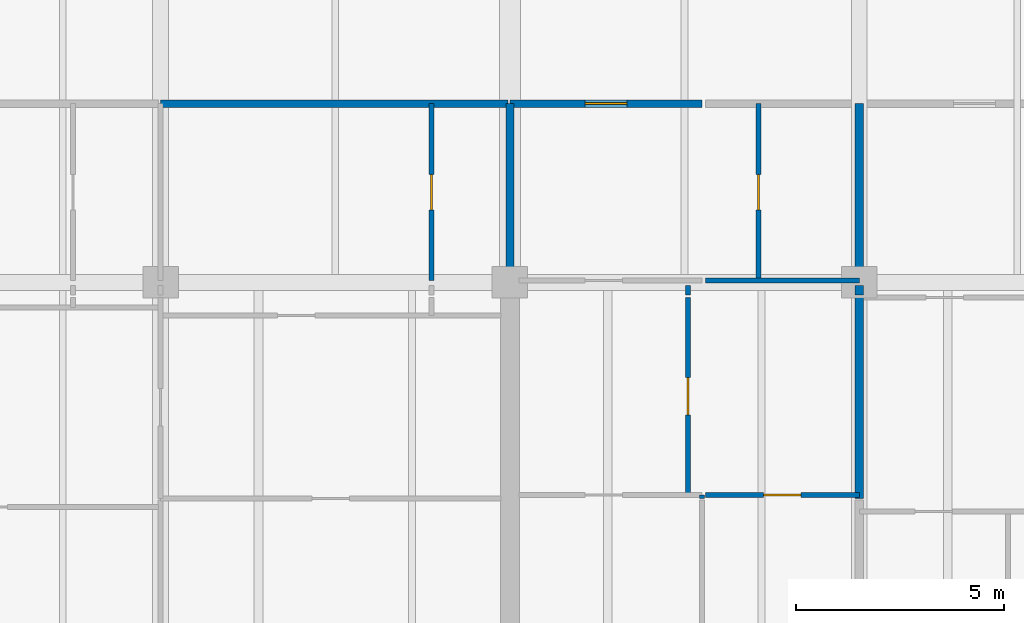
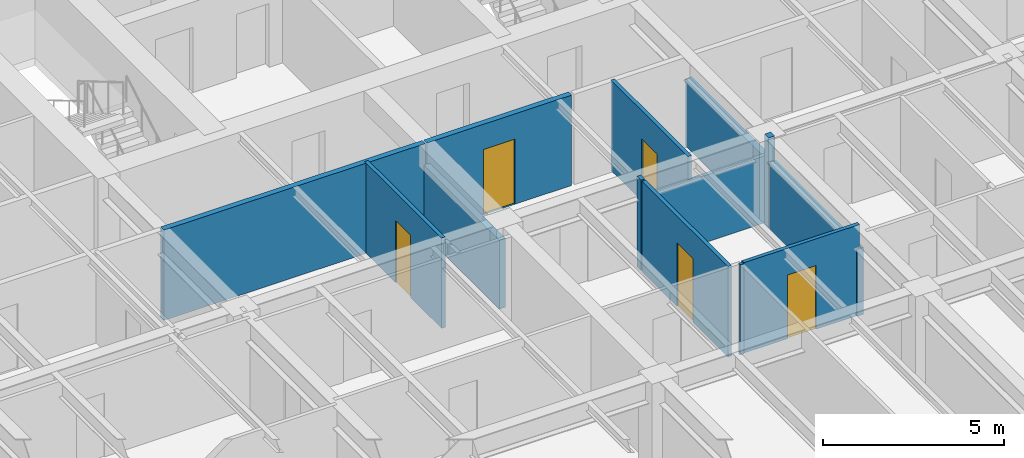
# One storey, part 9 of 19: 13 walls, 5 doors, 5 openings.
"""IFC4 building model written with IfcOpenShell, lengths in metres."""

from ifc_helpers import new_model, si_unit, direction, frame, frame_2d, origin, place, context, subcontext, project, spatial, rectangle, extrude, material, layer, layer_set, type_object, element, fill, save


model = new_model("IFC4")

# Units and contexts
model_context = context("Model", 3, precision=1e-05, world=origin(), true_north=direction((0.0, 1.0)))
body_context = subcontext(model_context, "Body", "Model", "MODEL_VIEW")
ifc_project = project(units=[si_unit("LENGTHUNIT", "METRE"), si_unit("AREAUNIT", "SQUARE_METRE"), si_unit("VOLUMEUNIT", "CUBIC_METRE"), si_unit("PLANEANGLEUNIT", "RADIAN"), si_unit("MASSUNIT", "GRAM", prefix="KILO")], contexts=[model_context])

# Site, building, storey
site_placement = place(None, origin())
site = spatial("IfcSite", under=ifc_project, at=site_placement, CompositionType="ELEMENT")
building_placement = place(site_placement, origin())
building = spatial("IfcBuilding", under=site, at=building_placement, Name="Caelmar Bay Residences", CompositionType="ELEMENT")
storey_placement = place(building_placement, frame((0.0, 0.0, 167.10009765625)))
storey = spatial("IfcBuildingStorey", under=building, at=storey_placement, Name="L46", CompositionType="ELEMENT", Elevation=167.10009765625)

# Wall
ifc_material_1 = material(Name="Double-stud acoustic fire-rated gypsum partition 180 mm")
ifc_layer_1 = layer(ifc_material_1, 0.179931640625)
ifc_layer_set_1 = layer_set([ifc_layer_1], Name="Double-stud acoustic fire-rated gypsum partition 180 mm")
wall_type_1 = type_object("IfcWallType", Name="W-COR-200", PredefinedType="PARTITIONING", material=ifc_layer_set_1)
wall_1_placement = place(storey_placement, frame((18.300048828125, 33.699951171875, 0.0), z_axis=(0.0, 0.0, 1.0), x_axis=(1.0, 0.0, 0.0)))
element("IfcWall", 1, at=wall_1_placement, inside=storey, type_object=wall_type_1, Name="L46 Partition Wall H115", PredefinedType="PARTITIONING", context=body_context, shape_type="SweptSolid", body=[
    extrude(rectangle(XDim=8.349853515625, YDim=0.179931640625, at=frame_2d((4.1748046875, 0.0))), origin(), (0.0, 0.0, 1.0), 3.0498046875),
])

# Wall, opening, door
wall_2_placement = place(storey_placement, frame((26.699951171875, 33.699951171875, 0.0), z_axis=(0.0, 0.0, 1.0), x_axis=(1.0, 0.0, 0.0)))
wall_2 = element("IfcWall", 2, at=wall_2_placement, inside=storey, type_object=wall_type_1, Name="L46 Partition Wall H116", PredefinedType="PARTITIONING", context=body_context, shape_type="SweptSolid", body=[
    extrude(rectangle(XDim=4.6201171875, YDim=0.179931640625, at=frame_2d((2.31005859375, 0.0))), origin(), (0.0, 0.0, 1.0), 3.0498046875),
])
opening_1_placement = place(wall_2_placement, frame((1.81005859375, 0.0, 0.0)))
opening_1 = element("IfcOpeningElement", 3, at=opening_1_placement, cuts=wall_2, Name="Opening D-L46-132", PredefinedType="OPENING", context=body_context, shape_type="SweptSolid", body=[
    extrude(rectangle(XDim=1.0, YDim=2.199951171875, at=frame_2d((0.5, 1.10009765625))), frame((0.0, 0.099853515625, 0.0), z_axis=(0.0, -1.0, 0.0), x_axis=(1.0, 0.0, 0.0)), (0.0, 0.0, 1.0), 0.199951171875),
])
ifc_material_2 = material(Name="Fire-rated steel and walnut architectural door assembly", Category="steel")
ifc_layer_2 = layer(ifc_material_2, 0.050048828125)
ifc_layer_set_2 = layer_set([ifc_layer_2], Name="Fire-rated steel and walnut architectural door assembly")
door_type_1 = type_object("IfcDoorType", Name="D-UNIT-1000", OperationType="NOTDEFINED", PredefinedType="DOOR", material=ifc_layer_set_2)
door_1_placement = place(opening_1_placement, origin())
door_1 = element("IfcDoor", 4, at=door_1_placement, inside=storey, type_object=door_type_1, Name="L46 Residence 02 Apartment Hall Door", OperationType="SINGLE_SWING_LEFT", OverallHeight=2.199951171875, OverallWidth=1.0, PredefinedType="DOOR", context=body_context, shape_type="SweptSolid", body=[
    extrude(rectangle(XDim=1.0, YDim=2.199951171875, at=frame_2d((0.5, 1.10009765625))), frame((0.0, 0.02490234375, 0.0), z_axis=(0.0, -1.0, 0.0), x_axis=(1.0, 0.0, 0.0)), (0.0, 0.0, 1.0), 0.050048828125),
])
fill(opening_1, door_1)

ifc_material_3 = material(Name="Acoustic metal-stud gypsum partition 120 mm")
ifc_layer_3 = layer(ifc_material_3, 0.1201171875)
ifc_layer_set_3 = layer_set([ifc_layer_3], Name="Acoustic metal-stud gypsum partition 120 mm")
wall_type_2 = type_object("IfcWallType", Name="W-PRT-120", PredefinedType="PARTITIONING", material=ifc_layer_set_3)
wall_3_placement = place(storey_placement, frame((24.818115234375, 29.43994140625, 0.0), z_axis=(0.0, 0.0, 1.0), x_axis=(0.0, 1.0, 0.0)))
wall_3 = element("IfcWall", 5, at=wall_3_placement, inside=storey, type_object=wall_type_2, Name="L46 Partition Wall V021", PredefinedType="PARTITIONING", context=body_context, shape_type="SweptSolid", body=[
    extrude(rectangle(XDim=4.260009765625, YDim=0.1201171875, at=frame_2d((2.1298828125, 0.0))), origin(), (0.0, 0.0, 1.0), 3.0498046875),
])
opening_2_placement = place(wall_3_placement, frame((1.705078125, 0.0, 0.0)))
opening_2 = element("IfcOpeningElement", 6, at=opening_2_placement, cuts=wall_3, Name="Opening D-L46-129", PredefinedType="OPENING", context=body_context, shape_type="SweptSolid", body=[
    extrude(rectangle(XDim=0.85009765625, YDim=2.10009765625, at=frame_2d((0.425048828125, 1.050048828125))), frame((0.0, 0.070068359375, 0.0), z_axis=(0.0, -1.0, 0.0), x_axis=(1.0, 0.0, 0.0)), (0.0, 0.0, 1.0), 0.14013671875),
])
ifc_material_4 = material(Name="Solid walnut timber interior door leaf and frame", Category="wood")
ifc_layer_4 = layer(ifc_material_4, 0.050048828125)
ifc_layer_set_4 = layer_set([ifc_layer_4], Name="Solid walnut timber interior door leaf and frame")
door_type_2 = type_object("IfcDoorType", Name="D-BATH-850", OperationType="NOTDEFINED", PredefinedType="DOOR", material=ifc_layer_set_4)
door_2_placement = place(opening_2_placement, origin())
door_2 = element("IfcDoor", 7, at=door_2_placement, inside=storey, type_object=door_type_2, Name="L46 Residence 01 En-Suite Bathroom 1 Door", OperationType="SINGLE_SWING_RIGHT", OverallHeight=2.10009765625, OverallWidth=0.85009765625, PredefinedType="DOOR", context=body_context, shape_type="SweptSolid", body=[
    extrude(rectangle(XDim=0.85009765625, YDim=2.10009765625, at=frame_2d((0.425048828125, 1.050048828125))), frame((0.0, 0.02490234375, 0.0), z_axis=(0.0, -1.0, 0.0), x_axis=(1.0, 0.0, 0.0)), (0.0, 0.0, 1.0), 0.050048828125),
])
fill(opening_2, door_2)

wall_4_placement = place(storey_placement, frame((30.986083984375, 24.2900390625, 0.0), z_axis=(0.0, 0.0, 1.0), x_axis=(0.0, 1.0, 0.0)))
wall_4 = element("IfcWall", 8, at=wall_4_placement, inside=storey, type_object=wall_type_2, Name="L46 Partition Wall V029", PredefinedType="PARTITIONING", context=body_context, shape_type="SweptSolid", body=[
    extrude(rectangle(XDim=4.75, YDim=0.1201171875, at=frame_2d((2.375, 0.0))), origin(), (0.0, 0.0, 1.0), 3.0498046875),
])
opening_3_placement = place(wall_4_placement, frame((1.925048828125, 0.0, 0.0)))
opening_3 = element("IfcOpeningElement", 9, at=opening_3_placement, cuts=wall_4, Name="Opening D-L46-135", PredefinedType="OPENING", context=body_context, shape_type="SweptSolid", body=[
    extrude(rectangle(XDim=0.89990234375, YDim=2.14990234375, at=frame_2d((0.449951171875, 1.074951171875))), frame((0.0, 0.070068359375, 0.0), z_axis=(0.0, -1.0, 0.0), x_axis=(1.0, 0.0, 0.0)), (0.0, 0.0, 1.0), 0.14013671875),
])
ifc_layer_5 = layer(ifc_material_4, 0.050048828125)
ifc_layer_set_5 = layer_set([ifc_layer_5], Name="Solid walnut timber interior door leaf and frame")
door_type_3 = type_object("IfcDoorType", Name="D-ROOM-900", OperationType="NOTDEFINED", PredefinedType="DOOR", material=ifc_layer_set_5)
door_3_placement = place(opening_3_placement, origin())
door_3 = element("IfcDoor", 10, at=door_3_placement, inside=storey, type_object=door_type_3, Name="L46 Residence 02 Home Office Door", OperationType="SINGLE_SWING_RIGHT", OverallHeight=2.14990234375, OverallWidth=0.89990234375, PredefinedType="DOOR", context=body_context, shape_type="SweptSolid", body=[
    extrude(rectangle(XDim=0.89990234375, YDim=2.14990234375, at=frame_2d((0.449951171875, 1.074951171875))), frame((0.0, 0.02490234375, 0.0), z_axis=(0.0, -1.0, 0.0), x_axis=(1.0, 0.0, 0.0)), (0.0, 0.0, 1.0), 0.050048828125),
])
fill(opening_3, door_3)

# Walls
wall_5_placement = place(storey_placement, frame((30.986083984375, 29.10009765625, 0.0), z_axis=(0.0, 0.0, 1.0), x_axis=(0.0, 1.0, 0.0)))
element("IfcWall", 11, at=wall_5_placement, inside=storey, type_object=wall_type_2, Name="L46 Partition Wall V030", PredefinedType="PARTITIONING", context=body_context, shape_type="SweptSolid", body=[
    extrude(rectangle(XDim=0.219970703125, YDim=0.1201171875, at=frame_2d((0.10986328125, 0.0))), origin(), (0.0, 0.0, 1.0), 3.0498046875),
])
wall_6_placement = place(storey_placement, frame((31.320068359375, 24.199951171875, 0.0), z_axis=(0.0, 0.0, 1.0), x_axis=(0.0, 1.0, 0.0)))
element("IfcWall", 12, at=wall_6_placement, inside=storey, type_object=wall_type_2, Name="L46 Partition Wall V033", PredefinedType="PARTITIONING", context=body_context, shape_type="SweptSolid", body=[
    extrude(rectangle(XDim=0.090087890625, YDim=0.1201171875, at=frame_2d((0.044921875, 0.0))), origin(), (0.0, 0.0, 1.0), 3.0498046875),
])

# Wall, opening, door
wall_7_placement = place(storey_placement, frame((32.681884765625, 29.43994140625, 0.0), z_axis=(0.0, 0.0, 1.0), x_axis=(0.0, 1.0, 0.0)))
wall_7 = element("IfcWall", 13, at=wall_7_placement, inside=storey, type_object=wall_type_2, Name="L46 Partition Wall V035", PredefinedType="PARTITIONING", context=body_context, shape_type="SweptSolid", body=[
    extrude(rectangle(XDim=4.260009765625, YDim=0.1201171875, at=frame_2d((2.1298828125, 0.0))), origin(), (0.0, 0.0, 1.0), 3.0498046875),
])
opening_4_placement = place(wall_7_placement, frame((1.705078125, 0.0, 0.0)))
opening_4 = element("IfcOpeningElement", 14, at=opening_4_placement, cuts=wall_7, Name="Opening D-L46-133", PredefinedType="OPENING", context=body_context, shape_type="SweptSolid", body=[
    extrude(rectangle(XDim=0.85009765625, YDim=2.10009765625, at=frame_2d((0.425048828125, 1.050048828125))), frame((0.0, 0.070068359375, 0.0), z_axis=(0.0, -1.0, 0.0), x_axis=(1.0, 0.0, 0.0)), (0.0, 0.0, 1.0), 0.14013671875),
])
door_4_placement = place(opening_4_placement, origin())
door_4 = element("IfcDoor", 15, at=door_4_placement, inside=storey, type_object=door_type_2, Name="L46 Residence 02 Bathroom Door", OperationType="SINGLE_SWING_RIGHT", OverallHeight=2.10009765625, OverallWidth=0.85009765625, PredefinedType="DOOR", context=body_context, shape_type="SweptSolid", body=[
    extrude(rectangle(XDim=0.85009765625, YDim=2.10009765625, at=frame_2d((0.425048828125, 1.050048828125))), frame((0.0, 0.02490234375, 0.0), z_axis=(0.0, -1.0, 0.0), x_axis=(1.0, 0.0, 0.0)), (0.0, 0.0, 1.0), 0.050048828125),
])
fill(opening_4, door_4)

wall_8_placement = place(storey_placement, frame((31.39990234375, 24.2900390625, 0.0), z_axis=(0.0, 0.0, 1.0), x_axis=(1.0, 0.0, 0.0)))
wall_8 = element("IfcWall", 16, at=wall_8_placement, inside=storey, type_object=wall_type_2, Name="L46 Partition Wall H104", PredefinedType="PARTITIONING", context=body_context, shape_type="SweptSolid", body=[
    extrude(rectangle(XDim=3.7001953125, YDim=0.1201171875, at=frame_2d((1.85009765625, 0.0))), origin(), (0.0, 0.0, 1.0), 3.0498046875),
])
opening_5_placement = place(wall_8_placement, frame((1.39990234375, 0.0, 0.0)))
opening_5 = element("IfcOpeningElement", 17, at=opening_5_placement, cuts=wall_8, Name="Opening D-L46-137", PredefinedType="OPENING", context=body_context, shape_type="SweptSolid", body=[
    extrude(rectangle(XDim=0.89990234375, YDim=2.14990234375, at=frame_2d((0.449951171875, 1.074951171875))), frame((0.0, 0.070068359375, 0.0), z_axis=(0.0, -1.0, 0.0), x_axis=(1.0, 0.0, 0.0)), (0.0, 0.0, 1.0), 0.14013671875),
])
door_5_placement = place(opening_5_placement, origin())
door_5 = element("IfcDoor", 18, at=door_5_placement, inside=storey, type_object=door_type_3, Name="L46 Residence 02 Penthouse Sitting Room Door", OperationType="SINGLE_SWING_RIGHT", OverallHeight=2.14990234375, OverallWidth=0.89990234375, PredefinedType="DOOR", context=body_context, shape_type="SweptSolid", body=[
    extrude(rectangle(XDim=0.89990234375, YDim=2.14990234375, at=frame_2d((0.449951171875, 1.074951171875))), frame((0.0, 0.02490234375, 0.0), z_axis=(0.0, -1.0, 0.0), x_axis=(1.0, 0.0, 0.0)), (0.0, 0.0, 1.0), 0.050048828125),
])
fill(opening_5, door_5)

# Walls
wall_9_placement = place(storey_placement, frame((31.39990234375, 29.43994140625, 0.0), z_axis=(0.0, 0.0, 1.0), x_axis=(1.0, 0.0, 0.0)))
element("IfcWall", 19, at=wall_9_placement, inside=storey, type_object=wall_type_2, Name="L46 Partition Wall H112", PredefinedType="PARTITIONING", context=body_context, shape_type="SweptSolid", body=[
    extrude(rectangle(XDim=3.7001953125, YDim=0.1201171875, at=frame_2d((1.85009765625, 0.0))), origin(), (0.0, 0.0, 1.0), 2.262939453125),
])
ifc_material_5 = material(Name="Acoustic twin-stud fire-rated inter-tenancy partition 200 mm")
ifc_layer_6 = layer(ifc_material_5, 0.199951171875)
ifc_layer_set_6 = layer_set([ifc_layer_6], Name="Acoustic twin-stud fire-rated inter-tenancy partition 200 mm")
wall_type_3 = type_object("IfcWallType", Name="W-PTY-200", PredefinedType="PARTITIONING", material=ifc_layer_set_6)
wall_10_placement = place(storey_placement, frame((26.699951171875, 29.43994140625, 0.0), z_axis=(0.0, 0.0, 1.0), x_axis=(0.0, 1.0, 0.0)))
element("IfcWall", 20, at=wall_10_placement, inside=storey, type_object=wall_type_3, Name="L46 Partition Wall V026", PredefinedType="PARTITIONING", context=body_context, shape_type="SweptSolid", body=[
    extrude(rectangle(XDim=4.260009765625, YDim=0.199951171875, at=frame_2d((2.1298828125, 0.0))), origin(), (0.0, 0.0, 1.0), 2.3349609375),
])
wall_11_placement = place(storey_placement, frame((35.10009765625, 24.199951171875, 0.0), z_axis=(0.0, 0.0, 1.0), x_axis=(0.0, 1.0, 0.0)))
element("IfcWall", 21, at=wall_11_placement, inside=storey, type_object=wall_type_3, Name="L46 Partition Wall V038", PredefinedType="PARTITIONING", context=body_context, shape_type="SweptSolid", body=[
    extrude(rectangle(XDim=4.840087890625, YDim=0.199951171875, at=frame_2d((2.419921875, 0.0))), origin(), (0.0, 0.0, 1.0), 2.262939453125),
])
wall_12_placement = place(storey_placement, frame((35.10009765625, 29.10009765625, 0.0), z_axis=(0.0, 0.0, 1.0), x_axis=(0.0, 1.0, 0.0)))
element("IfcWall", 22, at=wall_12_placement, inside=storey, type_object=wall_type_3, Name="L46 Partition Wall V039", PredefinedType="PARTITIONING", context=body_context, shape_type="SweptSolid", body=[
    extrude(rectangle(XDim=0.219970703125, YDim=0.199951171875, at=frame_2d((0.10986328125, 0.0))), origin(), (0.0, 0.0, 1.0), 3.0498046875),
])
wall_13_placement = place(storey_placement, frame((35.10009765625, 29.43994140625, 0.0), z_axis=(0.0, 0.0, 1.0), x_axis=(0.0, 1.0, 0.0)))
element("IfcWall", 23, at=wall_13_placement, inside=storey, type_object=wall_type_3, Name="L46 Partition Wall V040", PredefinedType="PARTITIONING", context=body_context, shape_type="SweptSolid", body=[
    extrude(rectangle(XDim=4.260009765625, YDim=0.199951171875, at=frame_2d((2.1298828125, 0.0))), origin(), (0.0, 0.0, 1.0), 2.262939453125),
])

save(model, "model.ifc")
